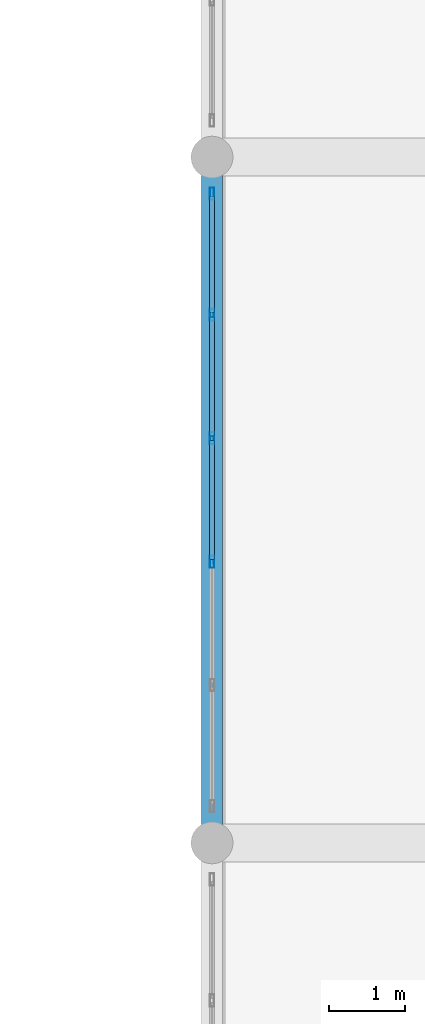
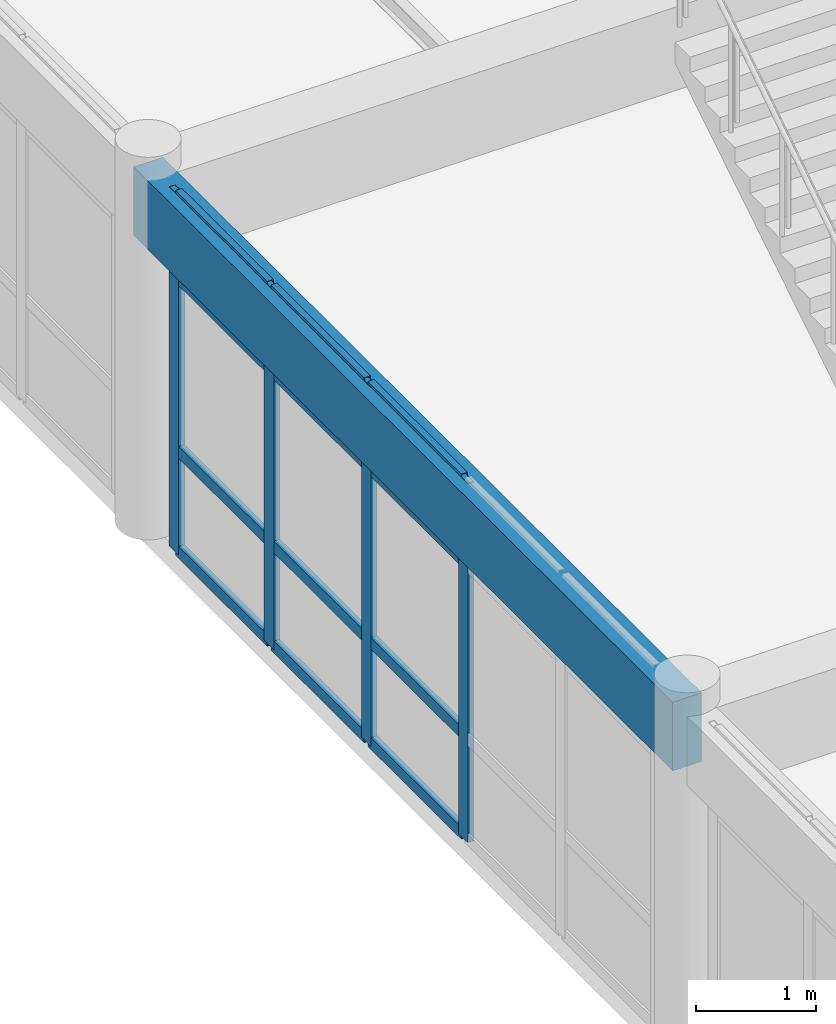
# One storey, part 40 of 156: 16 members, 1 beam, 1 element without a shape of its own.
"""IFC4 building model written with IfcOpenShell, lengths in metres."""

from ifc_helpers import new_model, si_unit, direction, frame, origin, origin_2d, place, context, subcontext, project, spatial, rectangle, hollow_rectangle, extrude, material, layer, layer_set, material_profile, profile_set, type_object, element, aggregate, save


model = new_model("IFC4")

# Units and contexts
model_context = context("Model", 3, precision=1e-05, world=origin(), true_north=direction((0.0, 1.0)))
body_context = subcontext(model_context, "Body", "Model", "MODEL_VIEW")
ifc_project = project(units=[si_unit("LENGTHUNIT", "METRE"), si_unit("AREAUNIT", "SQUARE_METRE"), si_unit("VOLUMEUNIT", "CUBIC_METRE"), si_unit("PLANEANGLEUNIT", "RADIAN"), si_unit("MASSUNIT", "GRAM", prefix="KILO")], contexts=[model_context])

# Site, building, storey
site_placement = place(None, origin())
site = spatial("IfcSite", under=ifc_project, at=site_placement, CompositionType="ELEMENT")
building_placement = place(site_placement, origin())
building = spatial("IfcBuilding", under=site, at=building_placement, Name="Ornek Quay Market", CompositionType="ELEMENT")
storey_placement = place(building_placement, frame((0.0, 0.0, 4.5)))
storey = spatial("IfcBuildingStorey", under=building, at=storey_placement, Name="L01", CompositionType="ELEMENT", Elevation=4.5)

# Beam
ifc_material_1 = material(Name="Concrete C35/45", Category="concrete")
ifc_material_profile_1 = material_profile(ifc_material_1, rectangle(XDim=0.280029296875, YDim=0.699951171875, at=origin_2d()), Name="RC 280x700", Category="concrete")
ifc_profile_set_1 = profile_set([ifc_material_profile_1], Name="Concrete C35/45")
beam_type = type_object("IfcBeamType", Name="BM-SPN-280x700", PredefinedType="SPANDREL", material=ifc_profile_set_1)
beam_placement = place(storey_placement, frame((108.0, 65.0, 3.31005859375), z_axis=(0.0, 1.0, 0.0), x_axis=(-1.0, 0.0, 0.0)))
element("IfcBeam", 1, at=beam_placement, inside=storey, type_object=beam_type, Name="Primary beam B-SP2-077", PredefinedType="SPANDREL", context=body_context, shape_type="SweptSolid", body=[
    extrude(rectangle(XDim=0.280029296875, YDim=0.699951171875, at=origin_2d()), origin(), (0.0, 0.0, 1.0), 9.0),
])

# Curtain wall, members
ifc_material_2 = material(Name="Anodised bronze aluminium and triple low-e glass", Category="aluminium")
ifc_layer = layer(ifc_material_2, 0.139892578125, Name="Anodised bronze aluminium and triple low-e glass", Category="aluminium")
ifc_layer_set = layer_set([ifc_layer], Name="Anodised bronze aluminium and triple low-e glass")
curtain_wall_type = type_object("IfcCurtainWallType", Name="CW-GALLERY-INT", PredefinedType="USERDEFINED", material=ifc_layer_set)
curtain_wall_placement = place(storey_placement, origin())
curtain_wall = element("IfcCurtainWall", 2, at=curtain_wall_placement, inside=storey, type_object=curtain_wall_type, Name="Curtain wall CW-107", ObjectType="CURTAIN WALL", PredefinedType="USERDEFINED")
ifc_material_3 = material(Name="Anodised aluminium 6063-T6", Category="aluminium")
ifc_material_profile_2 = material_profile(ifc_material_3, hollow_rectangle(XDim=0.06005859375, YDim=0.159912109375, WallThickness=0.00390625, at=origin_2d()), Name="CW-MUL-60x160", Category="aluminium")
ifc_profile_set_2 = profile_set([ifc_material_profile_2], Name="Anodised aluminium 6063-T6")
member_type_1 = type_object("IfcMemberType", Name="CW-MUL-60x160", PredefinedType="MULLION", material=ifc_profile_set_2)
member_1_placement = place(storey_placement, frame((108.0, 68.68994140625, 0.0), z_axis=(0.0, 0.0, 1.0), x_axis=(-1.0, 0.0, 0.0)))
member_1 = element("IfcMember", 3, at=member_1_placement, type_object=member_type_1, Name="CW-107 mullion 3", PredefinedType="MULLION", context=body_context, shape_type="SweptSolid", body=[
    extrude(hollow_rectangle(XDim=0.06005859375, YDim=0.159912109375, WallThickness=0.00390625, at=origin_2d()), origin(), (0.0, 0.0, 1.0), 3.659912109375),
])
member_2_placement = place(storey_placement, frame((108.0, 70.31005859375, 0.0), z_axis=(0.0, 0.0, 1.0), x_axis=(-1.0, 0.0, 0.0)))
member_2 = element("IfcMember", 4, at=member_2_placement, type_object=member_type_1, Name="CW-107 mullion 4", PredefinedType="MULLION", context=body_context, shape_type="SweptSolid", body=[
    extrude(hollow_rectangle(XDim=0.06005859375, YDim=0.159912109375, WallThickness=0.00390625, at=origin_2d()), origin(), (0.0, 0.0, 1.0), 3.659912109375),
])
member_3_placement = place(storey_placement, frame((108.0, 71.929931640625, 0.0), z_axis=(0.0, 0.0, 1.0), x_axis=(-1.0, 0.0, 0.0)))
member_3 = element("IfcMember", 5, at=member_3_placement, type_object=member_type_1, Name="CW-107 mullion 5", PredefinedType="MULLION", context=body_context, shape_type="SweptSolid", body=[
    extrude(hollow_rectangle(XDim=0.06005859375, YDim=0.159912109375, WallThickness=0.00390625, at=origin_2d()), origin(), (0.0, 0.0, 1.0), 3.659912109375),
])
member_4_placement = place(storey_placement, frame((108.0, 73.52001953125, 0.0), z_axis=(0.0, 0.0, 1.0), x_axis=(-1.0, 0.0, 0.0)))
member_4 = element("IfcMember", 6, at=member_4_placement, type_object=member_type_1, Name="CW-107 mullion 6", PredefinedType="MULLION", context=body_context, shape_type="SweptSolid", body=[
    extrude(hollow_rectangle(XDim=0.06005859375, YDim=0.159912109375, WallThickness=0.00390625, at=origin_2d()), origin(), (0.0, 0.0, 1.0), 3.659912109375),
])
ifc_material_profile_3 = material_profile(ifc_material_3, hollow_rectangle(XDim=0.06005859375, YDim=0.1201171875, WallThickness=0.00390625, at=origin_2d()), Name="CW-TRN-60x120", Category="aluminium")
ifc_profile_set_3 = profile_set([ifc_material_profile_3], Name="Anodised aluminium 6063-T6")
member_type_2 = type_object("IfcMemberType", Name="CW-TRN-60x120", PredefinedType="USERDEFINED", material=ifc_profile_set_3)
member_5_placement = place(storey_placement, frame((108.0, 68.719970703125, 0.030029296875), z_axis=(0.0, 1.0, 0.0), x_axis=(-1.0, 0.0, 0.0)))
member_5 = element("IfcMember", 7, at=member_5_placement, type_object=member_type_2, Name="CW-107 transom 3.1", ObjectType="TRANSOM", PredefinedType="USERDEFINED", context=body_context, shape_type="SweptSolid", body=[
    extrude(hollow_rectangle(XDim=0.06005859375, YDim=0.1201171875, WallThickness=0.00390625, at=origin_2d()), origin(), (0.0, 0.0, 1.0), 1.56005859375),
])
member_6_placement = place(storey_placement, frame((108.0, 68.719970703125, 1.050048828125), z_axis=(0.0, 1.0, 0.0), x_axis=(-1.0, 0.0, 0.0)))
member_6 = element("IfcMember", 8, at=member_6_placement, type_object=member_type_2, Name="CW-107 transom 3.2", ObjectType="TRANSOM", PredefinedType="USERDEFINED", context=body_context, shape_type="SweptSolid", body=[
    extrude(hollow_rectangle(XDim=0.06005859375, YDim=0.1201171875, WallThickness=0.00390625, at=origin_2d()), origin(), (0.0, 0.0, 1.0), 1.56005859375),
])
member_7_placement = place(storey_placement, frame((108.0, 68.719970703125, 2.81005859375), z_axis=(0.0, 1.0, 0.0), x_axis=(-1.0, 0.0, 0.0)))
member_7 = element("IfcMember", 9, at=member_7_placement, type_object=member_type_2, Name="CW-107 transom 3.3", ObjectType="TRANSOM", PredefinedType="USERDEFINED", context=body_context, shape_type="SweptSolid", body=[
    extrude(hollow_rectangle(XDim=0.06005859375, YDim=0.1201171875, WallThickness=0.00390625, at=origin_2d()), origin(), (0.0, 0.0, 1.0), 1.56005859375),
])
member_8_placement = place(storey_placement, frame((108.0, 68.719970703125, 3.6298828125), z_axis=(0.0, 1.0, 0.0), x_axis=(-1.0, 0.0, 0.0)))
member_8 = element("IfcMember", 10, at=member_8_placement, type_object=member_type_2, Name="CW-107 transom 3.4", ObjectType="TRANSOM", PredefinedType="USERDEFINED", context=body_context, shape_type="SweptSolid", body=[
    extrude(hollow_rectangle(XDim=0.06005859375, YDim=0.1201171875, WallThickness=0.00390625, at=origin_2d()), origin(), (0.0, 0.0, 1.0), 1.56005859375),
])
member_9_placement = place(storey_placement, frame((108.0, 70.340087890625, 0.030029296875), z_axis=(0.0, 1.0, 0.0), x_axis=(-1.0, 0.0, 0.0)))
member_9 = element("IfcMember", 11, at=member_9_placement, type_object=member_type_2, Name="CW-107 transom 4.1", ObjectType="TRANSOM", PredefinedType="USERDEFINED", context=body_context, shape_type="SweptSolid", body=[
    extrude(hollow_rectangle(XDim=0.06005859375, YDim=0.1201171875, WallThickness=0.00390625, at=origin_2d()), origin(), (0.0, 0.0, 1.0), 1.559814453125),
])
member_10_placement = place(storey_placement, frame((108.0, 70.340087890625, 1.050048828125), z_axis=(0.0, 1.0, 0.0), x_axis=(-1.0, 0.0, 0.0)))
member_10 = element("IfcMember", 12, at=member_10_placement, type_object=member_type_2, Name="CW-107 transom 4.2", ObjectType="TRANSOM", PredefinedType="USERDEFINED", context=body_context, shape_type="SweptSolid", body=[
    extrude(hollow_rectangle(XDim=0.06005859375, YDim=0.1201171875, WallThickness=0.00390625, at=origin_2d()), origin(), (0.0, 0.0, 1.0), 1.559814453125),
])
member_11_placement = place(storey_placement, frame((108.0, 70.340087890625, 2.81005859375), z_axis=(0.0, 1.0, 0.0), x_axis=(-1.0, 0.0, 0.0)))
member_11 = element("IfcMember", 13, at=member_11_placement, type_object=member_type_2, Name="CW-107 transom 4.3", ObjectType="TRANSOM", PredefinedType="USERDEFINED", context=body_context, shape_type="SweptSolid", body=[
    extrude(hollow_rectangle(XDim=0.06005859375, YDim=0.1201171875, WallThickness=0.00390625, at=origin_2d()), origin(), (0.0, 0.0, 1.0), 1.559814453125),
])
member_12_placement = place(storey_placement, frame((108.0, 70.340087890625, 3.6298828125), z_axis=(0.0, 1.0, 0.0), x_axis=(-1.0, 0.0, 0.0)))
member_12 = element("IfcMember", 14, at=member_12_placement, type_object=member_type_2, Name="CW-107 transom 4.4", ObjectType="TRANSOM", PredefinedType="USERDEFINED", context=body_context, shape_type="SweptSolid", body=[
    extrude(hollow_rectangle(XDim=0.06005859375, YDim=0.1201171875, WallThickness=0.00390625, at=origin_2d()), origin(), (0.0, 0.0, 1.0), 1.559814453125),
])
member_13_placement = place(storey_placement, frame((108.0, 71.9599609375, 0.030029296875), z_axis=(0.0, 1.0, 0.0), x_axis=(-1.0, 0.0, 0.0)))
member_13 = element("IfcMember", 15, at=member_13_placement, type_object=member_type_2, Name="CW-107 transom 5.1", ObjectType="TRANSOM", PredefinedType="USERDEFINED", context=body_context, shape_type="SweptSolid", body=[
    extrude(hollow_rectangle(XDim=0.06005859375, YDim=0.1201171875, WallThickness=0.00390625, at=origin_2d()), origin(), (0.0, 0.0, 1.0), 1.530029296875),
])
member_14_placement = place(storey_placement, frame((108.0, 71.9599609375, 1.050048828125), z_axis=(0.0, 1.0, 0.0), x_axis=(-1.0, 0.0, 0.0)))
member_14 = element("IfcMember", 16, at=member_14_placement, type_object=member_type_2, Name="CW-107 transom 5.2", ObjectType="TRANSOM", PredefinedType="USERDEFINED", context=body_context, shape_type="SweptSolid", body=[
    extrude(hollow_rectangle(XDim=0.06005859375, YDim=0.1201171875, WallThickness=0.00390625, at=origin_2d()), origin(), (0.0, 0.0, 1.0), 1.530029296875),
])
member_15_placement = place(storey_placement, frame((108.0, 71.9599609375, 2.81005859375), z_axis=(0.0, 1.0, 0.0), x_axis=(-1.0, 0.0, 0.0)))
member_15 = element("IfcMember", 17, at=member_15_placement, type_object=member_type_2, Name="CW-107 transom 5.3", ObjectType="TRANSOM", PredefinedType="USERDEFINED", context=body_context, shape_type="SweptSolid", body=[
    extrude(hollow_rectangle(XDim=0.06005859375, YDim=0.1201171875, WallThickness=0.00390625, at=origin_2d()), origin(), (0.0, 0.0, 1.0), 1.530029296875),
])
member_16_placement = place(storey_placement, frame((108.0, 71.9599609375, 3.6298828125), z_axis=(0.0, 1.0, 0.0), x_axis=(-1.0, 0.0, 0.0)))
member_16 = element("IfcMember", 18, at=member_16_placement, type_object=member_type_2, Name="CW-107 transom 5.4", ObjectType="TRANSOM", PredefinedType="USERDEFINED", context=body_context, shape_type="SweptSolid", body=[
    extrude(hollow_rectangle(XDim=0.06005859375, YDim=0.1201171875, WallThickness=0.00390625, at=origin_2d()), origin(), (0.0, 0.0, 1.0), 1.530029296875),
])
aggregate(curtain_wall, [member_1, member_2, member_3, member_4, member_5, member_6, member_7, member_8, member_9, member_10, member_11, member_12, member_13, member_14, member_15, member_16])

save(model, "model.ifc")
